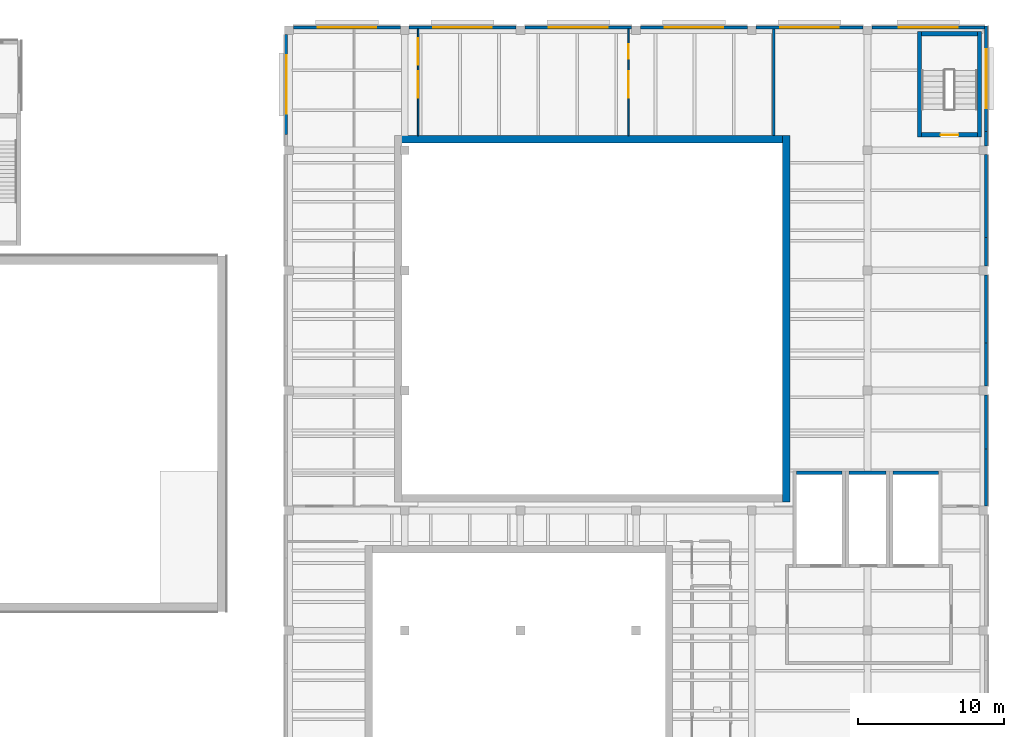
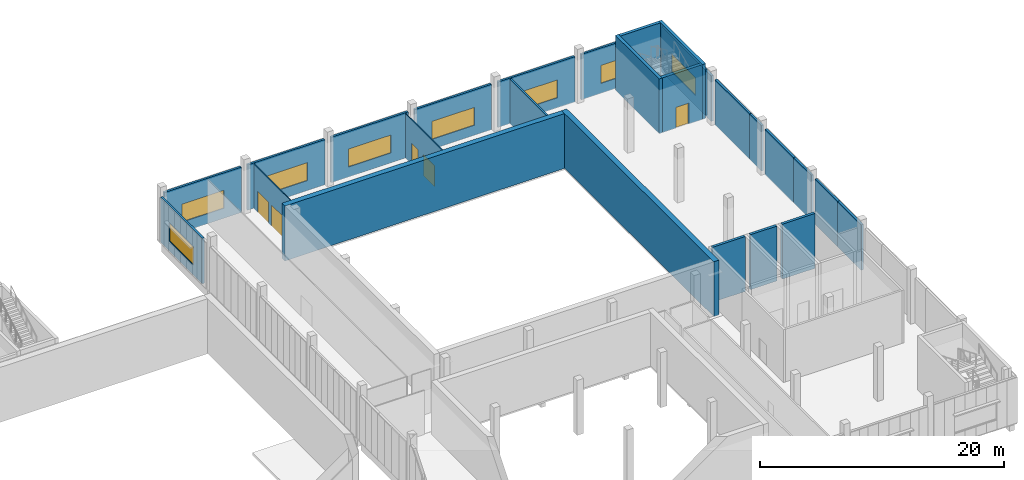
# One storey, part 65 of 112: 27 walls, 8 windows, 5 doors, 13 openings.
"""IFC4 building model written with IfcOpenShell, lengths in metres."""

from ifc_helpers import new_model, si_unit, direction, frame, frame_2d, origin, place, context, subcontext, project, spatial, rectangle, extrude, material, layer, layer_set, type_object, element, fill, save


model = new_model("IFC4")

# Units and contexts
model_context = context("Model", 3, precision=1e-05, world=origin(), true_north=direction((0.0, 1.0)))
body_context = subcontext(model_context, "Body", "Model", "MODEL_VIEW")
ifc_project = project(units=[si_unit("LENGTHUNIT", "METRE"), si_unit("AREAUNIT", "SQUARE_METRE"), si_unit("VOLUMEUNIT", "CUBIC_METRE"), si_unit("PLANEANGLEUNIT", "RADIAN"), si_unit("MASSUNIT", "GRAM", prefix="KILO")], contexts=[model_context])

# Site, building, storey
site_placement = place(None, origin())
site = spatial("IfcSite", under=ifc_project, at=site_placement, CompositionType="ELEMENT")
building_placement = place(site_placement, origin())
building = spatial("IfcBuilding", under=site, at=building_placement, Name="Lunette Opera House", CompositionType="ELEMENT")
storey_placement = place(building_placement, frame((0.0, 0.0, 6.0)))
storey = spatial("IfcBuildingStorey", under=building, at=storey_placement, Name="L01", CompositionType="ELEMENT", Elevation=6.0)

# Walls
ifc_material_1 = material(Name="Plastered clay blockwork", Category="masonry")
ifc_layer_1 = layer(ifc_material_1, 0.175048828125)
ifc_layer_set_1 = layer_set([ifc_layer_1], Name="Plastered clay blockwork")
wall_type_1 = type_object("IfcWallType", Name="ACOUSTIC BLOCK PARTITION 175", PredefinedType="PARTITIONING", material=ifc_layer_set_1)
wall_1_placement = place(storey_placement, frame((169.4130859375, 128.5, 0.0), z_axis=(0.0, 0.0, 1.0), x_axis=(0.0, 1.0, 0.0)))
element("IfcWall", 1, at=wall_1_placement, inside=storey, type_object=wall_type_1, Name="Partition Technical Direction Office", PredefinedType="PARTITIONING", context=body_context, shape_type="SweptSolid", body=[
    extrude(rectangle(XDim=7.300048828125, YDim=0.175048828125, at=frame_2d((3.64990234375, 0.0))), origin(), (0.0, 0.0, 1.0), 4.449951171875),
])
ifc_material_2 = material(Name="Concrete C35/45", Category="concrete")
ifc_layer_2 = layer(ifc_material_2, 0.25)
ifc_layer_set_2 = layer_set([ifc_layer_2], Name="Concrete C35/45")
wall_type_2 = type_object("IfcWallType", Name="RC LIFT SHAFT WALL 250", PredefinedType="SOLIDWALL", material=ifc_layer_set_2)
wall_2_placement = place(storey_placement, frame((177.050048828125, 105.47509765625, 0.0), z_axis=(0.0, 0.0, 1.0), x_axis=(-1.0, 0.0, 0.0)))
element("IfcWall", 2, at=wall_2_placement, inside=storey, type_object=wall_type_2, Name="LF6 shaft wall 2", PredefinedType="SOLIDWALL", context=body_context, shape_type="SweptSolid", body=[
    extrude(rectangle(XDim=2.5, YDim=0.25, at=frame_2d((1.25, 0.0))), origin(), (0.0, 0.0, 1.0), 5.5),
])
wall_3_placement = place(storey_placement, frame((174.050048828125, 105.47509765625, 0.0), z_axis=(0.0, 0.0, 1.0), x_axis=(-1.0, 0.0, 0.0)))
element("IfcWall", 3, at=wall_3_placement, inside=storey, type_object=wall_type_2, Name="LG2 shaft wall 2", PredefinedType="SOLIDWALL", context=body_context, shape_type="SweptSolid", body=[
    extrude(rectangle(XDim=3.10009765625, YDim=0.25, at=frame_2d((1.550048828125, 0.0))), origin(), (0.0, 0.0, 1.0), 5.5),
])
wall_4_placement = place(storey_placement, frame((180.64990234375, 105.47509765625, 0.0), z_axis=(0.0, 0.0, 1.0), x_axis=(-1.0, 0.0, 0.0)))
element("IfcWall", 4, at=wall_4_placement, inside=storey, type_object=wall_type_2, Name="LG3 shaft wall 2", PredefinedType="SOLIDWALL", context=body_context, shape_type="SweptSolid", body=[
    extrude(rectangle(XDim=3.099853515625, YDim=0.25, at=frame_2d((1.5498046875, 0.0))), origin(), (0.0, 0.0, 1.0), 5.5),
])
ifc_material_3 = material(Name="Concrete C35/45", Category="concrete")
ifc_layer_3 = layer(ifc_material_3, 0.300048828125)
ifc_layer_set_3 = layer_set([ifc_layer_3], Name="Concrete C35/45")
wall_type_3 = type_object("IfcWallType", Name="RC STAIR ENCLOSURE WALL 300", PredefinedType="SOLIDWALL", material=ifc_layer_set_3)
wall_5_placement = place(storey_placement, frame((183.449951171875, 128.39990234375, 0.0), z_axis=(0.0, 0.0, 1.0), x_axis=(0.0, 1.0, 0.0)))
element("IfcWall", 5, at=wall_5_placement, inside=storey, type_object=wall_type_3, Name="ST19 enclosure wall 1", PredefinedType="SOLIDWALL", context=body_context, shape_type="SweptSolid", body=[
    extrude(rectangle(XDim=7.2001953125, YDim=0.300048828125, at=frame_2d((3.60009765625, 0.0))), origin(), (0.0, 0.0, 1.0), 5.5),
])
wall_6_placement = place(storey_placement, frame((183.300048828125, 135.449951171875, 0.0), z_axis=(0.0, 0.0, 1.0), x_axis=(-1.0, 0.0, 0.0)))
element("IfcWall", 6, at=wall_6_placement, inside=storey, type_object=wall_type_3, Name="ST19 enclosure wall 2", PredefinedType="SOLIDWALL", context=body_context, shape_type="SweptSolid", body=[
    extrude(rectangle(XDim=3.800048828125, YDim=0.300048828125, at=frame_2d((1.89990234375, 0.0))), origin(), (0.0, 0.0, 1.0), 5.5),
])
wall_7_placement = place(storey_placement, frame((179.35009765625, 135.60009765625, 0.0), z_axis=(0.0, 0.0, 1.0), x_axis=(0.0, -1.0, 0.0)))
element("IfcWall", 7, at=wall_7_placement, inside=storey, type_object=wall_type_3, Name="ST19 enclosure wall 3", PredefinedType="SOLIDWALL", context=body_context, shape_type="SweptSolid", body=[
    extrude(rectangle(XDim=7.2001953125, YDim=0.300048828125, at=frame_2d((3.60009765625, 0.0))), origin(), (0.0, 0.0, 1.0), 5.5),
])

# Wall, opening, door
wall_8_placement = place(storey_placement, frame((179.5, 128.550048828125, 0.0), z_axis=(0.0, 0.0, 1.0), x_axis=(1.0, 0.0, 0.0)))
wall_8 = element("IfcWall", 8, at=wall_8_placement, inside=storey, type_object=wall_type_3, Name="ST19 enclosure wall 4", PredefinedType="SOLIDWALL", context=body_context, shape_type="SweptSolid", body=[
    extrude(rectangle(XDim=3.800048828125, YDim=0.300048828125, at=frame_2d((1.89990234375, 0.0))), origin(), (0.0, 0.0, 1.0), 5.5),
])
opening_1_placement = place(wall_8_placement, frame((1.300048828125, 0.0, 0.0)))
opening_1 = element("IfcOpeningElement", 9, at=opening_1_placement, cuts=wall_8, Name="Opening WW-D7008", PredefinedType="OPENING", context=body_context, shape_type="SweptSolid", body=[
    extrude(rectangle(XDim=1.199951171875, YDim=2.10009765625, at=frame_2d((0.60009765625, 1.050048828125))), frame((0.0, 0.162109375, 0.0), z_axis=(0.0, -1.0, 0.0), x_axis=(1.0, 0.0, 0.0)), (0.0, 0.0, 1.0), 0.323974609375),
])
ifc_material_4 = material(Name="Steel", Category="steel")
door_type_1 = type_object("IfcDoorType", Name="FIRE DOOR 1200 X 2100", OperationType="SINGLE_SWING_LEFT", PredefinedType="DOOR", material=ifc_material_4)
door_1_placement = place(opening_1_placement, origin())
door_1 = element("IfcDoor", 10, at=door_1_placement, inside=storey, type_object=door_type_1, Name="ST19 stair door", OperationType="SINGLE_SWING_LEFT", OverallHeight=2.10009765625, OverallWidth=1.199951171875, PredefinedType="DOOR", context=body_context, shape_type="SweptSolid", body=[
    extrude(rectangle(XDim=1.199951171875, YDim=2.10009765625, at=frame_2d((0.60009765625, 1.050048828125))), frame((0.0, 0.02490234375, 0.0), z_axis=(0.0, -1.0, 0.0), x_axis=(1.0, 0.0, 0.0)), (0.0, 0.0, 1.0), 0.050048828125),
])
fill(opening_1, door_1)

# Walls
ifc_material_5 = material(Name="Concrete C35/45", Category="concrete")
ifc_layer_4 = layer(ifc_material_5, 0.5)
ifc_layer_set_4 = layer_set([ifc_layer_4], Name="Concrete C35/45")
wall_type_4 = type_object("IfcWallType", Name="RC WALL 500", PredefinedType="SHEAR", material=ifc_layer_set_4)
wall_9_placement = place(storey_placement, frame((143.5, 128.25, 0.0), z_axis=(0.0, 0.0, 1.0), x_axis=(1.0, 0.0, 0.0)))
element("IfcWall", 11, at=wall_9_placement, inside=storey, type_object=wall_type_4, Name="wall-WW-L01-PH-N-1", PredefinedType="SHEAR", context=body_context, shape_type="SweptSolid", body=[
    extrude(rectangle(XDim=27.0, YDim=0.5, at=frame_2d((13.5, 0.0))), origin(), (0.0, 0.0, 1.0), 5.5),
])
wall_10_placement = place(storey_placement, frame((170.25, 103.5, 0.0), z_axis=(0.0, 0.0, 1.0), x_axis=(0.0, 1.0, 0.0)))
element("IfcWall", 12, at=wall_10_placement, inside=storey, type_object=wall_type_4, Name="wall-WW-L01-PH-E-1", PredefinedType="SHEAR", context=body_context, shape_type="SweptSolid", body=[
    extrude(rectangle(XDim=25.0, YDim=0.5, at=frame_2d((12.5, 0.0))), origin(), (0.0, 0.0, 1.0), 5.5),
])

# Wall, openings, doors
ifc_material_6 = material(Name="Gypsum board on steel studs", Category="steel")
ifc_layer_5 = layer(ifc_material_6, 0.10009765625)
ifc_layer_set_5 = layer_set([ifc_layer_5], Name="Gypsum board on steel studs")
wall_type_5 = type_object("IfcWallType", Name="STUD PARTITION 100", PredefinedType="PARTITIONING", material=ifc_layer_set_5)
wall_11_placement = place(storey_placement, frame((145.112060546875, 135.800048828125, 0.0), z_axis=(0.0, 0.0, 1.0), x_axis=(0.0, -1.0, 0.0)))
wall_11 = element("IfcWall", 13, at=wall_11_placement, inside=storey, type_object=wall_type_5, Name="Partition Costume Fitting Rooms", PredefinedType="PARTITIONING", context=body_context, shape_type="SweptSolid", body=[
    extrude(rectangle(XDim=7.300048828125, YDim=0.10009765625, at=frame_2d((3.64990234375, 0.0))), origin(), (0.0, 0.0, 1.0), 4.449951171875),
])
opening_2_placement = place(wall_11_placement, frame((2.89990234375, 0.0, 0.0)))
opening_2 = element("IfcOpeningElement", 14, at=opening_2_placement, cuts=wall_11, Name="Opening WW-D3024", PredefinedType="OPENING", context=body_context, shape_type="SweptSolid", body=[
    extrude(rectangle(XDim=1.800048828125, YDim=2.10009765625, at=frame_2d((0.89990234375, 1.050048828125))), frame((0.0, 0.06201171875, 0.0), z_axis=(0.0, -1.0, 0.0), x_axis=(1.0, 0.0, 0.0)), (0.0, 0.0, 1.0), 0.1240234375),
])
opening_3_placement = place(wall_11_placement, frame((0.64990234375, 0.0, 0.0)))
opening_3 = element("IfcOpeningElement", 15, at=opening_3_placement, cuts=wall_11, Name="Opening WW-D3025", PredefinedType="OPENING", context=body_context, shape_type="SweptSolid", body=[
    extrude(rectangle(XDim=1.800048828125, YDim=2.10009765625, at=frame_2d((0.89990234375, 1.050048828125))), frame((0.0, 0.06201171875, 0.0), z_axis=(0.0, -1.0, 0.0), x_axis=(1.0, 0.0, 0.0)), (0.0, 0.0, 1.0), 0.1240234375),
])
ifc_material_7 = material(Name="Timber", Category="wood")
door_type_2 = type_object("IfcDoorType", Name="DOUBLE FLUSH DOOR 1800 X 2100", OperationType="DOUBLE_DOOR_SINGLE_SWING", PredefinedType="DOOR", material=ifc_material_7)
door_2_placement = place(opening_2_placement, origin())
door_2 = element("IfcDoor", 16, at=door_2_placement, inside=storey, type_object=door_type_2, Name="Wig and Make-up Workshop door", OperationType="DOUBLE_DOOR_SINGLE_SWING", OverallHeight=2.10009765625, OverallWidth=1.800048828125, PredefinedType="DOOR", context=body_context, shape_type="SweptSolid", body=[
    extrude(rectangle(XDim=1.800048828125, YDim=2.10009765625, at=frame_2d((0.89990234375, 1.050048828125))), frame((0.0, 0.02490234375, 0.0), z_axis=(0.0, -1.0, 0.0), x_axis=(1.0, 0.0, 0.0)), (0.0, 0.0, 1.0), 0.050048828125),
])
fill(opening_2, door_2)
door_3_placement = place(opening_3_placement, origin())
door_3 = element("IfcDoor", 17, at=door_3_placement, inside=storey, type_object=door_type_2, Name="Costume Fitting Rooms door", OperationType="DOUBLE_DOOR_SINGLE_SWING", OverallHeight=2.10009765625, OverallWidth=1.800048828125, PredefinedType="DOOR", context=body_context, shape_type="SweptSolid", body=[
    extrude(rectangle(XDim=1.800048828125, YDim=2.10009765625, at=frame_2d((0.89990234375, 1.050048828125))), frame((0.0, 0.02490234375, 0.0), z_axis=(0.0, -1.0, 0.0), x_axis=(1.0, 0.0, 0.0)), (0.0, 0.0, 1.0), 0.050048828125),
])
fill(opening_3, door_3)

wall_12_placement = place(storey_placement, frame((159.471923828125, 135.800048828125, 0.0), z_axis=(0.0, 0.0, 1.0), x_axis=(0.0, -1.0, 0.0)))
wall_12 = element("IfcWall", 18, at=wall_12_placement, inside=storey, type_object=wall_type_5, Name="Partition Technical Direction Office", PredefinedType="PARTITIONING", context=body_context, shape_type="SweptSolid", body=[
    extrude(rectangle(XDim=7.300048828125, YDim=0.10009765625, at=frame_2d((3.64990234375, 0.0))), origin(), (0.0, 0.0, 1.0), 4.449951171875),
])
opening_4_placement = place(wall_12_placement, frame((2.89990234375, 0.0, 0.0)))
opening_4 = element("IfcOpeningElement", 19, at=opening_4_placement, cuts=wall_12, Name="Opening WW-D3026", PredefinedType="OPENING", context=body_context, shape_type="SweptSolid", body=[
    extrude(rectangle(XDim=1.800048828125, YDim=2.10009765625, at=frame_2d((0.89990234375, 1.050048828125))), frame((0.0, 0.06201171875, 0.0), z_axis=(0.0, -1.0, 0.0), x_axis=(1.0, 0.0, 0.0)), (0.0, 0.0, 1.0), 0.1240234375),
])
opening_5_placement = place(wall_12_placement, frame((1.050048828125, 0.0, 0.0)))
opening_5 = element("IfcOpeningElement", 20, at=opening_5_placement, cuts=wall_12, Name="Opening WW-D3029", PredefinedType="OPENING", context=body_context, shape_type="SweptSolid", body=[
    extrude(rectangle(XDim=1.0, YDim=2.10009765625, at=frame_2d((0.5, 1.050048828125))), frame((0.0, 0.06201171875, 0.0), z_axis=(0.0, -1.0, 0.0), x_axis=(1.0, 0.0, 0.0)), (0.0, 0.0, 1.0), 0.1240234375),
])
door_4_placement = place(opening_4_placement, origin())
door_4 = element("IfcDoor", 21, at=door_4_placement, inside=storey, type_object=door_type_2, Name="Costume Fitting Rooms door", OperationType="DOUBLE_DOOR_SINGLE_SWING", OverallHeight=2.10009765625, OverallWidth=1.800048828125, PredefinedType="DOOR", context=body_context, shape_type="SweptSolid", body=[
    extrude(rectangle(XDim=1.800048828125, YDim=2.10009765625, at=frame_2d((0.89990234375, 1.050048828125))), frame((0.0, 0.02490234375, 0.0), z_axis=(0.0, -1.0, 0.0), x_axis=(1.0, 0.0, 0.0)), (0.0, 0.0, 1.0), 0.050048828125),
])
fill(opening_4, door_4)
ifc_material_8 = material(Name="Timber", Category="wood")
door_type_3 = type_object("IfcDoorType", Name="FLUSH DOOR 1000 X 2100", OperationType="SINGLE_SWING_LEFT", PredefinedType="DOOR", material=ifc_material_8)
door_5_placement = place(opening_5_placement, origin())
door_5 = element("IfcDoor", 22, at=door_5_placement, inside=storey, type_object=door_type_3, Name="Technical Direction Office door", OperationType="SINGLE_SWING_LEFT", OverallHeight=2.10009765625, OverallWidth=1.0, PredefinedType="DOOR", context=body_context, shape_type="SweptSolid", body=[
    extrude(rectangle(XDim=1.0, YDim=2.10009765625, at=frame_2d((0.5, 1.050048828125))), frame((0.0, 0.02490234375, 0.0), z_axis=(0.0, -1.0, 0.0), x_axis=(1.0, 0.0, 0.0)), (0.0, 0.0, 1.0), 0.050048828125),
])
fill(opening_5, door_5)

# Walls
ifc_material_9 = material(Name="Insulated aluminium sandwich panel", Category="aluminium")
ifc_layer_6 = layer(ifc_material_9, 0.199951171875)
ifc_layer_set_6 = layer_set([ifc_layer_6], Name="Insulated aluminium sandwich panel")
wall_type_6 = type_object("IfcWallType", Name="WORKSHOP METAL PANEL WALL 200", PredefinedType="SOLIDWALL", material=ifc_layer_set_6)
wall_13_placement = place(storey_placement, frame((183.89990234375, 103.199951171875, 0.0), z_axis=(0.0, 0.0, 1.0), x_axis=(0.0, 1.0, 0.0)))
element("IfcWall", 23, at=wall_13_placement, inside=storey, type_object=wall_type_6, Name="Workshop Metal Panel Wall 200 F04-2 L01", PredefinedType="SOLIDWALL", context=body_context, shape_type="SweptSolid", body=[
    extrude(rectangle(XDim=3.900146484375, YDim=0.199951171875, at=frame_2d((1.9501953125, 0.0))), origin(), (0.0, 0.0, 1.0), 4.550048828125),
])
wall_14_placement = place(storey_placement, frame((183.89990234375, 107.10009765625, 0.0), z_axis=(0.0, 0.0, 1.0), x_axis=(0.0, 1.0, 0.0)))
element("IfcWall", 24, at=wall_14_placement, inside=storey, type_object=wall_type_6, Name="Workshop Metal Panel Wall 200 F05-1 L01", PredefinedType="SOLIDWALL", context=body_context, shape_type="SweptSolid", body=[
    extrude(rectangle(XDim=3.699951171875, YDim=0.199951171875, at=frame_2d((1.85009765625, 0.0))), origin(), (0.0, 0.0, 1.0), 4.550048828125),
])
wall_15_placement = place(storey_placement, frame((183.89990234375, 111.39990234375, 0.0), z_axis=(0.0, 0.0, 1.0), x_axis=(0.0, 1.0, 0.0)))
element("IfcWall", 25, at=wall_15_placement, inside=storey, type_object=wall_type_6, Name="Workshop Metal Panel Wall 200 F05-2 L01", PredefinedType="SOLIDWALL", context=body_context, shape_type="SweptSolid", body=[
    extrude(rectangle(XDim=2.925048828125, YDim=0.199951171875, at=frame_2d((1.46240234375, 0.0))), origin(), (0.0, 0.0, 1.0), 4.550048828125),
])
wall_16_placement = place(storey_placement, frame((183.89990234375, 114.324951171875, 0.0), z_axis=(0.0, 0.0, 1.0), x_axis=(0.0, 1.0, 0.0)))
element("IfcWall", 26, at=wall_16_placement, inside=storey, type_object=wall_type_6, Name="Workshop Metal Panel Wall 200 F06-1 L01", PredefinedType="SOLIDWALL", context=body_context, shape_type="SweptSolid", body=[
    extrude(rectangle(XDim=4.675048828125, YDim=0.199951171875, at=frame_2d((2.33740234375, 0.0))), origin(), (0.0, 0.0, 1.0), 4.550048828125),
])
wall_17_placement = place(storey_placement, frame((183.89990234375, 119.60009765625, 0.0), z_axis=(0.0, 0.0, 1.0), x_axis=(0.0, 1.0, 0.0)))
element("IfcWall", 27, at=wall_17_placement, inside=storey, type_object=wall_type_6, Name="Workshop Metal Panel Wall 200 F06-2 L01", PredefinedType="SOLIDWALL", context=body_context, shape_type="SweptSolid", body=[
    extrude(rectangle(XDim=1.949951171875, YDim=0.199951171875, at=frame_2d((0.97509765625, 0.0))), origin(), (0.0, 0.0, 1.0), 4.550048828125),
])
wall_18_placement = place(storey_placement, frame((183.89990234375, 121.550048828125, 0.0), z_axis=(0.0, 0.0, 1.0), x_axis=(0.0, 1.0, 0.0)))
element("IfcWall", 28, at=wall_18_placement, inside=storey, type_object=wall_type_6, Name="Workshop Metal Panel Wall 200 F07-1 L01", PredefinedType="SOLIDWALL", context=body_context, shape_type="SweptSolid", body=[
    extrude(rectangle(XDim=5.64990234375, YDim=0.199951171875, at=frame_2d((2.824951171875, 0.0))), origin(), (0.0, 0.0, 1.0), 4.550048828125),
])
wall_19_placement = place(storey_placement, frame((183.89990234375, 127.800048828125, 0.0), z_axis=(0.0, 0.0, 1.0), x_axis=(0.0, 1.0, 0.0)))
element("IfcWall", 29, at=wall_19_placement, inside=storey, type_object=wall_type_6, Name="Workshop Metal Panel Wall 200 F07-2 L01", PredefinedType="SOLIDWALL", context=body_context, shape_type="SweptSolid", body=[
    extrude(rectangle(XDim=0.974853515625, YDim=0.199951171875, at=frame_2d((0.4873046875, 0.0))), origin(), (0.0, 0.0, 1.0), 4.550048828125),
])

# Wall, opening, window
wall_20_placement = place(storey_placement, frame((183.89990234375, 128.77490234375, 0.0), z_axis=(0.0, 0.0, 1.0), x_axis=(0.0, 1.0, 0.0)))
wall_20 = element("IfcWall", 30, at=wall_20_placement, inside=storey, type_object=wall_type_6, Name="Workshop Metal Panel Wall 200 F08 L01", PredefinedType="SOLIDWALL", context=body_context, shape_type="SweptSolid", body=[
    extrude(rectangle(XDim=7.22509765625, YDim=0.199951171875, at=frame_2d((3.612548828125, 0.0))), origin(), (0.0, 0.0, 1.0), 4.550048828125),
])
opening_6_placement = place(wall_20_placement, frame((1.612060546875, 0.0, 1.0)))
opening_6 = element("IfcOpeningElement", 31, at=opening_6_placement, cuts=wall_20, Name="Opening WW-N2002", PredefinedType="OPENING", context=body_context, shape_type="SweptSolid", body=[
    extrude(rectangle(XDim=4.0, YDim=1.800048828125, at=frame_2d((2.0, 0.89990234375))), frame((0.0, 0.112060546875, 0.0), z_axis=(0.0, -1.0, 0.0), x_axis=(1.0, 0.0, 0.0)), (0.0, 0.0, 1.0), 0.223876953125),
])
ifc_material_10 = material(Name="Aluminium", Category="aluminium")
window_type = type_object("IfcWindowType", Name="WORKSHOP RIBBON WINDOW 4000 X 1800", PartitioningType="DOUBLE_PANEL_VERTICAL", PredefinedType="WINDOW", material=ifc_material_10)
window_1_placement = place(opening_6_placement, origin())
window_1 = element("IfcWindow", 32, at=window_1_placement, inside=storey, type_object=window_type, Name="Workshop Ribbon Window 4000 X 1800 F08 L01", OverallHeight=1.800048828125, OverallWidth=4.0, PartitioningType="DOUBLE_PANEL_VERTICAL", PredefinedType="WINDOW", context=body_context, shape_type="SweptSolid", body=[
    extrude(rectangle(XDim=4.0, YDim=1.800048828125, at=frame_2d((2.0, 0.89990234375))), frame((0.0, 0.030029296875, 0.0), z_axis=(0.0, -1.0, 0.0), x_axis=(1.0, 0.0, 0.0)), (0.0, 0.0, 1.0), 0.06005859375),
])
fill(opening_6, window_1)

wall_21_placement = place(storey_placement, frame((183.800048828125, 135.89990234375, 0.0), z_axis=(0.0, 0.0, 1.0), x_axis=(-1.0, 0.0, 0.0)))
wall_21 = element("IfcWall", 33, at=wall_21_placement, inside=storey, type_object=wall_type_6, Name="Workshop Metal Panel Wall 200 F09 L01", PredefinedType="SOLIDWALL", context=body_context, shape_type="SweptSolid", body=[
    extrude(rectangle(XDim=7.699951171875, YDim=0.199951171875, at=frame_2d((3.85009765625, 0.0))), origin(), (0.0, 0.0, 1.0), 4.550048828125),
])
opening_7_placement = place(wall_21_placement, frame((1.85009765625, 0.0, 1.0)))
opening_7 = element("IfcOpeningElement", 34, at=opening_7_placement, cuts=wall_21, Name="Opening WW-N2003", PredefinedType="OPENING", context=body_context, shape_type="SweptSolid", body=[
    extrude(rectangle(XDim=4.0, YDim=1.800048828125, at=frame_2d((2.0, 0.89990234375))), frame((0.0, 0.112060546875, 0.0), z_axis=(0.0, -1.0, 0.0), x_axis=(1.0, 0.0, 0.0)), (0.0, 0.0, 1.0), 0.223876953125),
])
window_2_placement = place(opening_7_placement, origin())
window_2 = element("IfcWindow", 35, at=window_2_placement, inside=storey, type_object=window_type, Name="Workshop Ribbon Window 4000 X 1800 F09 L01", OverallHeight=1.800048828125, OverallWidth=4.0, PartitioningType="DOUBLE_PANEL_VERTICAL", PredefinedType="WINDOW", context=body_context, shape_type="SweptSolid", body=[
    extrude(rectangle(XDim=4.0, YDim=1.800048828125, at=frame_2d((2.0, 0.89990234375))), frame((0.0, 0.030029296875, 0.0), z_axis=(0.0, -1.0, 0.0), x_axis=(1.0, 0.0, 0.0)), (0.0, 0.0, 1.0), 0.06005859375),
])
fill(opening_7, window_2)

wall_22_placement = place(storey_placement, frame((175.5, 135.89990234375, 0.0), z_axis=(0.0, 0.0, 1.0), x_axis=(-1.0, 0.0, 0.0)))
wall_22 = element("IfcWall", 36, at=wall_22_placement, inside=storey, type_object=wall_type_6, Name="Workshop Metal Panel Wall 200 F10 L01", PredefinedType="SOLIDWALL", context=body_context, shape_type="SweptSolid", body=[
    extrude(rectangle(XDim=7.300048828125, YDim=0.199951171875, at=frame_2d((3.64990234375, 0.0))), origin(), (0.0, 0.0, 1.0), 4.550048828125),
])
opening_8_placement = place(wall_22_placement, frame((1.64990234375, 0.0, 1.0)))
opening_8 = element("IfcOpeningElement", 37, at=opening_8_placement, cuts=wall_22, Name="Opening WW-N2004", PredefinedType="OPENING", context=body_context, shape_type="SweptSolid", body=[
    extrude(rectangle(XDim=4.0, YDim=1.800048828125, at=frame_2d((2.0, 0.89990234375))), frame((0.0, 0.112060546875, 0.0), z_axis=(0.0, -1.0, 0.0), x_axis=(1.0, 0.0, 0.0)), (0.0, 0.0, 1.0), 0.223876953125),
])
window_3_placement = place(opening_8_placement, origin())
window_3 = element("IfcWindow", 38, at=window_3_placement, inside=storey, type_object=window_type, Name="Workshop Ribbon Window 4000 X 1800 F10 L01", OverallHeight=1.800048828125, OverallWidth=4.0, PartitioningType="DOUBLE_PANEL_VERTICAL", PredefinedType="WINDOW", context=body_context, shape_type="SweptSolid", body=[
    extrude(rectangle(XDim=4.0, YDim=1.800048828125, at=frame_2d((2.0, 0.89990234375))), frame((0.0, 0.030029296875, 0.0), z_axis=(0.0, -1.0, 0.0), x_axis=(1.0, 0.0, 0.0)), (0.0, 0.0, 1.0), 0.06005859375),
])
fill(opening_8, window_3)

wall_23_placement = place(storey_placement, frame((167.60009765625, 135.89990234375, 0.0), z_axis=(0.0, 0.0, 1.0), x_axis=(-1.0, 0.0, 0.0)))
wall_23 = element("IfcWall", 39, at=wall_23_placement, inside=storey, type_object=wall_type_6, Name="Workshop Metal Panel Wall 200 F11 L01", PredefinedType="SOLIDWALL", context=body_context, shape_type="SweptSolid", body=[
    extrude(rectangle(XDim=7.300048828125, YDim=0.199951171875, at=frame_2d((3.64990234375, 0.0))), origin(), (0.0, 0.0, 1.0), 4.550048828125),
])
opening_9_placement = place(wall_23_placement, frame((1.64990234375, 0.0, 1.0)))
opening_9 = element("IfcOpeningElement", 40, at=opening_9_placement, cuts=wall_23, Name="Opening WW-N2005", PredefinedType="OPENING", context=body_context, shape_type="SweptSolid", body=[
    extrude(rectangle(XDim=4.0, YDim=1.800048828125, at=frame_2d((2.0, 0.89990234375))), frame((0.0, 0.112060546875, 0.0), z_axis=(0.0, -1.0, 0.0), x_axis=(1.0, 0.0, 0.0)), (0.0, 0.0, 1.0), 0.223876953125),
])
window_4_placement = place(opening_9_placement, origin())
window_4 = element("IfcWindow", 41, at=window_4_placement, inside=storey, type_object=window_type, Name="Workshop Ribbon Window 4000 X 1800 F11 L01", OverallHeight=1.800048828125, OverallWidth=4.0, PartitioningType="DOUBLE_PANEL_VERTICAL", PredefinedType="WINDOW", context=body_context, shape_type="SweptSolid", body=[
    extrude(rectangle(XDim=4.0, YDim=1.800048828125, at=frame_2d((2.0, 0.89990234375))), frame((0.0, 0.030029296875, 0.0), z_axis=(0.0, -1.0, 0.0), x_axis=(1.0, 0.0, 0.0)), (0.0, 0.0, 1.0), 0.06005859375),
])
fill(opening_9, window_4)

wall_24_placement = place(storey_placement, frame((159.699951171875, 135.89990234375, 0.0), z_axis=(0.0, 0.0, 1.0), x_axis=(-1.0, 0.0, 0.0)))
wall_24 = element("IfcWall", 42, at=wall_24_placement, inside=storey, type_object=wall_type_6, Name="Workshop Metal Panel Wall 200 F12 L01", PredefinedType="SOLIDWALL", context=body_context, shape_type="SweptSolid", body=[
    extrude(rectangle(XDim=7.300048828125, YDim=0.199951171875, at=frame_2d((3.64990234375, 0.0))), origin(), (0.0, 0.0, 1.0), 4.550048828125),
])
opening_10_placement = place(wall_24_placement, frame((1.64990234375, 0.0, 1.0)))
opening_10 = element("IfcOpeningElement", 43, at=opening_10_placement, cuts=wall_24, Name="Opening WW-N2006", PredefinedType="OPENING", context=body_context, shape_type="SweptSolid", body=[
    extrude(rectangle(XDim=4.0, YDim=1.800048828125, at=frame_2d((2.0, 0.89990234375))), frame((0.0, 0.112060546875, 0.0), z_axis=(0.0, -1.0, 0.0), x_axis=(1.0, 0.0, 0.0)), (0.0, 0.0, 1.0), 0.223876953125),
])
window_5_placement = place(opening_10_placement, origin())
window_5 = element("IfcWindow", 44, at=window_5_placement, inside=storey, type_object=window_type, Name="Workshop Ribbon Window 4000 X 1800 F12 L01", OverallHeight=1.800048828125, OverallWidth=4.0, PartitioningType="DOUBLE_PANEL_VERTICAL", PredefinedType="WINDOW", context=body_context, shape_type="SweptSolid", body=[
    extrude(rectangle(XDim=4.0, YDim=1.800048828125, at=frame_2d((2.0, 0.89990234375))), frame((0.0, 0.030029296875, 0.0), z_axis=(0.0, -1.0, 0.0), x_axis=(1.0, 0.0, 0.0)), (0.0, 0.0, 1.0), 0.06005859375),
])
fill(opening_10, window_5)

wall_25_placement = place(storey_placement, frame((151.800048828125, 135.89990234375, 0.0), z_axis=(0.0, 0.0, 1.0), x_axis=(-1.0, 0.0, 0.0)))
wall_25 = element("IfcWall", 45, at=wall_25_placement, inside=storey, type_object=wall_type_6, Name="Workshop Metal Panel Wall 200 F13 L01", PredefinedType="SOLIDWALL", context=body_context, shape_type="SweptSolid", body=[
    extrude(rectangle(XDim=7.300048828125, YDim=0.199951171875, at=frame_2d((3.64990234375, 0.0))), origin(), (0.0, 0.0, 1.0), 4.550048828125),
])
opening_11_placement = place(wall_25_placement, frame((1.64990234375, 0.0, 1.0)))
opening_11 = element("IfcOpeningElement", 46, at=opening_11_placement, cuts=wall_25, Name="Opening WW-N2007", PredefinedType="OPENING", context=body_context, shape_type="SweptSolid", body=[
    extrude(rectangle(XDim=4.0, YDim=1.800048828125, at=frame_2d((2.0, 0.89990234375))), frame((0.0, 0.112060546875, 0.0), z_axis=(0.0, -1.0, 0.0), x_axis=(1.0, 0.0, 0.0)), (0.0, 0.0, 1.0), 0.223876953125),
])
window_6_placement = place(opening_11_placement, origin())
window_6 = element("IfcWindow", 47, at=window_6_placement, inside=storey, type_object=window_type, Name="Workshop Ribbon Window 4000 X 1800 F13 L01", OverallHeight=1.800048828125, OverallWidth=4.0, PartitioningType="DOUBLE_PANEL_VERTICAL", PredefinedType="WINDOW", context=body_context, shape_type="SweptSolid", body=[
    extrude(rectangle(XDim=4.0, YDim=1.800048828125, at=frame_2d((2.0, 0.89990234375))), frame((0.0, 0.030029296875, 0.0), z_axis=(0.0, -1.0, 0.0), x_axis=(1.0, 0.0, 0.0)), (0.0, 0.0, 1.0), 0.06005859375),
])
fill(opening_11, window_6)

wall_26_placement = place(storey_placement, frame((143.89990234375, 135.89990234375, 0.0), z_axis=(0.0, 0.0, 1.0), x_axis=(-1.0, 0.0, 0.0)))
wall_26 = element("IfcWall", 48, at=wall_26_placement, inside=storey, type_object=wall_type_6, Name="Workshop Metal Panel Wall 200 F14 L01", PredefinedType="SOLIDWALL", context=body_context, shape_type="SweptSolid", body=[
    extrude(rectangle(XDim=7.2998046875, YDim=0.199951171875, at=frame_2d((3.64990234375, 0.0))), origin(), (0.0, 0.0, 1.0), 4.550048828125),
])
opening_12_placement = place(wall_26_placement, frame((1.64990234375, 0.0, 1.0)))
opening_12 = element("IfcOpeningElement", 49, at=opening_12_placement, cuts=wall_26, Name="Opening WW-N2008", PredefinedType="OPENING", context=body_context, shape_type="SweptSolid", body=[
    extrude(rectangle(XDim=4.0, YDim=1.800048828125, at=frame_2d((2.0, 0.89990234375))), frame((0.0, 0.112060546875, 0.0), z_axis=(0.0, -1.0, 0.0), x_axis=(1.0, 0.0, 0.0)), (0.0, 0.0, 1.0), 0.223876953125),
])
window_7_placement = place(opening_12_placement, origin())
window_7 = element("IfcWindow", 50, at=window_7_placement, inside=storey, type_object=window_type, Name="Workshop Ribbon Window 4000 X 1800 F14 L01", OverallHeight=1.800048828125, OverallWidth=4.0, PartitioningType="DOUBLE_PANEL_VERTICAL", PredefinedType="WINDOW", context=body_context, shape_type="SweptSolid", body=[
    extrude(rectangle(XDim=4.0, YDim=1.800048828125, at=frame_2d((2.0, 0.89990234375))), frame((0.0, 0.030029296875, 0.0), z_axis=(0.0, -1.0, 0.0), x_axis=(1.0, 0.0, 0.0)), (0.0, 0.0, 1.0), 0.06005859375),
])
fill(opening_12, window_7)

wall_27_placement = place(storey_placement, frame((136.10009765625, 135.39990234375, 0.0), z_axis=(0.0, 0.0, 1.0), x_axis=(0.0, -1.0, 0.0)))
wall_27 = element("IfcWall", 51, at=wall_27_placement, inside=storey, type_object=wall_type_6, Name="Workshop Metal Panel Wall 200 F15 L01", PredefinedType="SOLIDWALL", context=body_context, shape_type="SweptSolid", body=[
    extrude(rectangle(XDim=6.824951171875, YDim=0.199951171875, at=frame_2d((3.41259765625, 0.0))), origin(), (0.0, 0.0, 1.0), 4.550048828125),
])
opening_13_placement = place(wall_27_placement, frame((1.412109375, 0.0, 1.0)))
opening_13 = element("IfcOpeningElement", 52, at=opening_13_placement, cuts=wall_27, Name="Opening WW-N2009", PredefinedType="OPENING", context=body_context, shape_type="SweptSolid", body=[
    extrude(rectangle(XDim=4.0, YDim=1.800048828125, at=frame_2d((2.0, 0.89990234375))), frame((0.0, 0.112060546875, 0.0), z_axis=(0.0, -1.0, 0.0), x_axis=(1.0, 0.0, 0.0)), (0.0, 0.0, 1.0), 0.223876953125),
])
window_8_placement = place(opening_13_placement, origin())
window_8 = element("IfcWindow", 53, at=window_8_placement, inside=storey, type_object=window_type, Name="Workshop Ribbon Window 4000 X 1800 F15 L01", OverallHeight=1.800048828125, OverallWidth=4.0, PartitioningType="DOUBLE_PANEL_VERTICAL", PredefinedType="WINDOW", context=body_context, shape_type="SweptSolid", body=[
    extrude(rectangle(XDim=4.0, YDim=1.800048828125, at=frame_2d((2.0, 0.89990234375))), frame((0.0, 0.030029296875, 0.0), z_axis=(0.0, -1.0, 0.0), x_axis=(1.0, 0.0, 0.0)), (0.0, 0.0, 1.0), 0.06005859375),
])
fill(opening_13, window_8)

save(model, "model.ifc")
